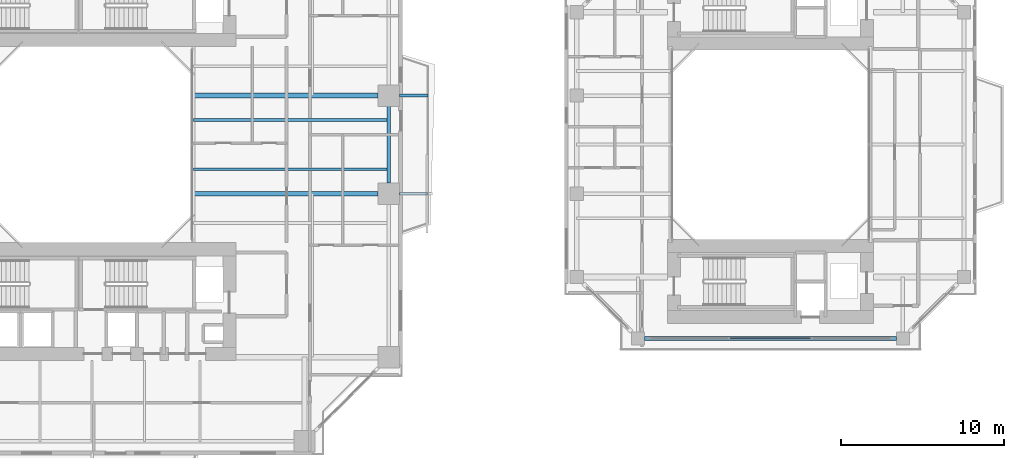
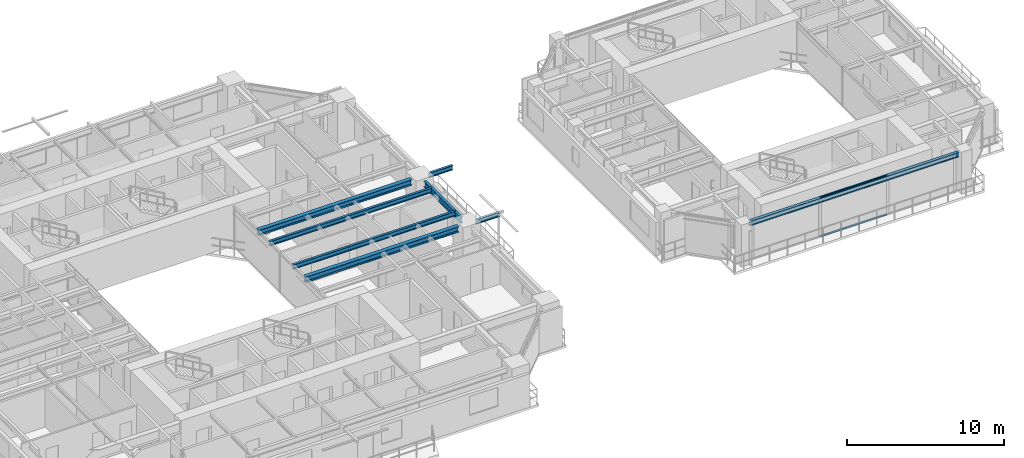
# One storey, part 6 of 23: 8 beams, 2 members, 1 element without a shape of its own.
"""IFC4 building model written with IfcOpenShell, lengths in metres."""

from ifc_helpers import new_model, si_unit, direction, frame, origin, origin_2d, place, context, subcontext, project, spatial, rectangle, i_section, extrude, source, transform, mapped, material, layer, layer_set, material_profile, profile_set, type_object, element, aggregate, save


model = new_model("IFC4")

# Units and contexts
model_context = context("Model", 3, precision=1e-05, world=origin(), true_north=direction((0.0, 1.0)))
body_context = subcontext(model_context, "Body", "Model", "MODEL_VIEW")
ifc_project = project(units=[si_unit("LENGTHUNIT", "METRE"), si_unit("AREAUNIT", "SQUARE_METRE"), si_unit("VOLUMEUNIT", "CUBIC_METRE"), si_unit("PLANEANGLEUNIT", "RADIAN"), si_unit("MASSUNIT", "GRAM", prefix="KILO"), si_unit("THERMODYNAMICTEMPERATUREUNIT", "KELVIN"), si_unit("POWERUNIT", "WATT")], contexts=[model_context])

# Site, building, storey
site_placement = place(None, origin())
site = spatial("IfcSite", under=ifc_project, at=site_placement, CompositionType="ELEMENT")
building_placement = place(site_placement, origin())
building = spatial("IfcBuilding", under=site, at=building_placement, Name="Qiaomeng Ring Towers", CompositionType="ELEMENT")
storey_placement = place(building_placement, frame((0.0, 0.0, 76.25)))
storey = spatial("IfcBuildingStorey", under=building, at=storey_placement, Name="L21", CompositionType="ELEMENT", Elevation=76.25)

# Beams
ifc_material_1 = material(Name="Steel Q355B", Category="steel")
ifc_material_profile_1 = material_profile(ifc_material_1, i_section(OverallWidth=0.199951171875, OverallDepth=0.449951171875, WebThickness=0.009033203125, FlangeThickness=0.013916015625, FilletRadius=0.01806640625, at=origin_2d()), Name="HN 450x200x9x14")
ifc_profile_set_1 = profile_set([ifc_material_profile_1], Name="Steel Q355B")
beam_type_1 = type_object("IfcBeamType", Name="STR-BM-HN450", PredefinedType="SPANDREL", material=ifc_profile_set_1)
shared_shape_1 = source(origin(), body_context, "Body", "SweptSolid", [
    extrude(i_section(OverallWidth=0.199951171875, OverallDepth=0.449951171875, WebThickness=0.009033203125, FlangeThickness=0.013916015625, FilletRadius=0.01806640625, at=origin_2d()), origin(), (0.0, 0.0, 1.0), 4.7021484375),
])
beam_1_placement = place(storey_placement, frame((37.14990234375, 20.64892578125, 2.844970703125), z_axis=(0.0, 1.0, 0.0), x_axis=(-1.0, 0.0, 0.0)))
element("IfcBeam", 1, at=beam_1_placement, inside=storey, type_object=beam_type_1, Name="L21 beam STR-SP-L21-T1-E2-E3", PredefinedType="SPANDREL", context=body_context, shape_type="MappedRepresentation", body=[
    mapped(shared_shape_1, transform((0.0, 0.0, 0.0), x_axis=(1.0, 0.0, 0.0), y_axis=(0.0, 1.0, 0.0), z_axis=(0.0, 0.0, 1.0), scale=1.0)),
])
ifc_material_profile_2 = material_profile(ifc_material_1, i_section(OverallWidth=0.300048828125, OverallDepth=0.43994140625, WebThickness=0.010986328125, FlangeThickness=0.01806640625, FilletRadius=0.02392578125, at=origin_2d()), Name="HM 440x300x11x18")
ifc_profile_set_2 = profile_set([ifc_material_profile_2], Name="Steel Q355B")
beam_type_2 = type_object("IfcBeamType", Name="STR-BM-HM440", PredefinedType="BEAM", material=ifc_profile_set_2)
shared_shape_2 = source(origin(), body_context, "Body", "SweptSolid", [
    extrude(i_section(OverallWidth=0.300048828125, OverallDepth=0.43994140625, WebThickness=0.010986328125, FlangeThickness=0.01806640625, FilletRadius=0.02392578125, at=origin_2d()), origin(), (0.0, 0.0, 1.0), 11.301025390625),
])
for number, where, z_axis, x_axis, name in (
    (2, (25.199951171875, 20.0, 2.85009765625), (1.0, 0.0, 0.0), (0.0, 1.0, 0.0), "L21 beam STR-BM-L21-T1-RAD-E2"),
    (3, (25.199951171875, 26.0, 2.85009765625), (1.0, 0.0, 0.0), (0.0, 1.0, 0.0), "L21 beam STR-BM-L21-T1-RAD-E3"),
):
    element("IfcBeam", number, at=place(storey_placement, frame(where, z_axis=z_axis, x_axis=x_axis)), inside=storey, type_object=beam_type_2, Name=name, PredefinedType="BEAM", context=body_context, shape_type="MappedRepresentation", body=[
        mapped(shared_shape_2, transform((0.0, 0.0, 0.0), x_axis=(1.0, 0.0, 0.0), y_axis=(0.0, 1.0, 0.0), z_axis=(0.0, 0.0, 1.0), scale=1.0)),
    ])
ifc_material_profile_3 = material_profile(ifc_material_1, i_section(OverallWidth=0.175048828125, OverallDepth=0.35009765625, WebThickness=0.007080078125, FlangeThickness=0.010986328125, FilletRadius=0.013916015625, at=origin_2d()), Name="HN 350x175x7x11")
ifc_profile_set_3 = profile_set([ifc_material_profile_3], Name="Steel Q355B")
beam_type_3 = type_object("IfcBeamType", Name="STR-BM-HN350", PredefinedType="JOIST", material=ifc_profile_set_3)
shared_shape_3 = source(origin(), body_context, "Body", "SweptSolid", [
    extrude(i_section(OverallWidth=0.175048828125, OverallDepth=0.35009765625, WebThickness=0.007080078125, FlangeThickness=0.010986328125, FilletRadius=0.013916015625, at=origin_2d()), origin(), (0.0, 0.0, 1.0), 11.949951171875),
])
for number, where, z_axis, x_axis, name in (
    (4, (25.199951171875, 21.5, 2.89501953125), (1.0, 0.0, 0.0), (0.0, 1.0, 0.0), "L21 beam STR-JST-L21-T1E-2"),
    (5, (25.199951171875, 24.5, 2.89501953125), (1.0, 0.0, 0.0), (0.0, 1.0, 0.0), "L21 beam STR-JST-L21-T1E-3"),
):
    element("IfcBeam", number, at=place(storey_placement, frame(where, z_axis=z_axis, x_axis=x_axis)), inside=storey, type_object=beam_type_3, Name=name, PredefinedType="JOIST", context=body_context, shape_type="MappedRepresentation", body=[
        mapped(shared_shape_3, transform((0.0, 0.0, 0.0), x_axis=(1.0, 0.0, 0.0), y_axis=(0.0, 1.0, 0.0), z_axis=(0.0, 0.0, 1.0), scale=1.0)),
    ])
ifc_material_profile_4 = material_profile(ifc_material_1, i_section(OverallWidth=0.25, OverallDepth=0.340087890625, WebThickness=0.009033203125, FlangeThickness=0.013916015625, FilletRadius=0.02001953125, at=origin_2d()), Name="HM 340x250x9x14")
ifc_profile_set_4 = profile_set([ifc_material_profile_4], Name="Steel Q355B")
beam_type_4 = type_object("IfcBeamType", Name="STR-BM-HM340", PredefinedType="SPANDREL", material=ifc_profile_set_4)
shared_shape_4 = source(origin(), body_context, "Body", "SweptSolid", [
    extrude(i_section(OverallWidth=0.25, OverallDepth=0.340087890625, WebThickness=0.009033203125, FlangeThickness=0.013916015625, FilletRadius=0.02001953125, at=origin_2d()), origin(), (0.0, 0.0, 1.0), 15.40185546875),
])
beam_2_placement = place(storey_placement, frame((52.799072265625, 11.14990234375, 2.89990234375), z_axis=(1.0, 0.0, 0.0), x_axis=(0.0, 1.0, 0.0)))
element("IfcBeam", 6, at=beam_2_placement, inside=storey, type_object=beam_type_4, Name="L21 beam STR-SP-L21-T2-S1-S2", PredefinedType="SPANDREL", context=body_context, shape_type="MappedRepresentation", body=[
    mapped(shared_shape_4, transform((0.0, 0.0, 0.0), x_axis=(1.0, 0.0, 0.0), y_axis=(0.0, 1.0, 0.0), z_axis=(0.0, 0.0, 1.0), scale=1.0)),
])
shared_shape_5 = source(origin(), body_context, "Body", "SweptSolid", [
    extrude(i_section(OverallWidth=0.175048828125, OverallDepth=0.35009765625, WebThickness=0.007080078125, FlangeThickness=0.010986328125, FilletRadius=0.013916015625, at=origin_2d()), origin(), (0.0, 0.0, 1.0), 1.740966796875),
])
for number, where, z_axis, x_axis, name in (
    (7, (37.799072265625, 20.0, 2.89501953125), (1.0, 0.0, 0.0), (0.0, 1.0, 0.0), "L21 beam STR-BALBM-L21-E2"),
    (8, (37.799072265625, 26.0, 2.89501953125), (1.0, 0.0, 0.0), (0.0, 1.0, 0.0), "L21 beam STR-BALBM-L21-E3"),
):
    element("IfcBeam", number, at=place(storey_placement, frame(where, z_axis=z_axis, x_axis=x_axis)), inside=storey, type_object=beam_type_3, Name=name, PredefinedType="JOIST", context=body_context, shape_type="MappedRepresentation", body=[
        mapped(shared_shape_5, transform((0.0, 0.0, 0.0), x_axis=(1.0, 0.0, 0.0), y_axis=(0.0, 1.0, 0.0), z_axis=(0.0, 0.0, 1.0), scale=1.0)),
    ])

# Curtain wall, members
ifc_material_2 = material(Name="Fluorocarbon dark-grey aluminium", Category="aluminium")
ifc_layer = layer(ifc_material_2, 0.14990234375, Name="Fluorocarbon dark-grey aluminium")
ifc_layer_set = layer_set([ifc_layer], Name="Fluorocarbon dark-grey aluminium")
curtain_wall_type = type_object("IfcCurtainWallType", Name="ARC-CW-5", PredefinedType="NOTDEFINED", material=ifc_layer_set)
curtain_wall_placement = place(storey_placement, origin())
curtain_wall = element("IfcCurtainWall", 9, at=curtain_wall_placement, inside=storey, type_object=curtain_wall_type, Name="L21 Curtain Wall CW5", PredefinedType="NOTDEFINED")
ifc_material_profile_5 = material_profile(ifc_material_2, rectangle(XDim=0.06494140625, YDim=0.1298828125, at=origin_2d()), Name="ALU TRAN 65x130")
ifc_profile_set_5 = profile_set([ifc_material_profile_5], Name="Fluorocarbon dark-grey aluminium")
member_type = type_object("IfcMemberType", Name="ARC-CWT-120", PredefinedType="USERDEFINED", material=ifc_profile_set_5)
shared_shape_6 = source(origin(), body_context, "Body", "SweptSolid", [
    extrude(rectangle(XDim=0.06494140625, YDim=0.1298828125, at=origin_2d()), origin(), (0.0, 0.0, 1.0), 4.9033203125),
])
member_1_placement = place(storey_placement, frame((58.04833984375, 11.14990234375, 0.032470703125), z_axis=(1.0, 0.0, 0.0), x_axis=(0.0, 1.0, 0.0)))
member_1 = element("IfcMember", 10, at=member_1_placement, type_object=member_type, Name="CW5 transom 2.1", ObjectType="TRANSOM", PredefinedType="USERDEFINED", context=body_context, shape_type="MappedRepresentation", body=[
    mapped(shared_shape_6, transform((0.0, 0.0, 0.0), x_axis=(1.0, 0.0, 0.0), y_axis=(0.0, 1.0, 0.0), z_axis=(0.0, 0.0, 1.0), scale=1.0)),
])
member_2_placement = place(storey_placement, frame((58.04833984375, 11.14990234375, 3.03759765625), z_axis=(1.0, 0.0, 0.0), x_axis=(0.0, 1.0, 0.0)))
member_2 = element("IfcMember", 11, at=member_2_placement, type_object=member_type, Name="CW5 transom 2.2", ObjectType="TRANSOM", PredefinedType="USERDEFINED", context=body_context, shape_type="MappedRepresentation", body=[
    mapped(shared_shape_6, transform((0.0, 0.0, 0.0), x_axis=(1.0, 0.0, 0.0), y_axis=(0.0, 1.0, 0.0), z_axis=(0.0, 0.0, 1.0), scale=1.0)),
])
aggregate(curtain_wall, [member_1, member_2])

save(model, "model.ifc")
